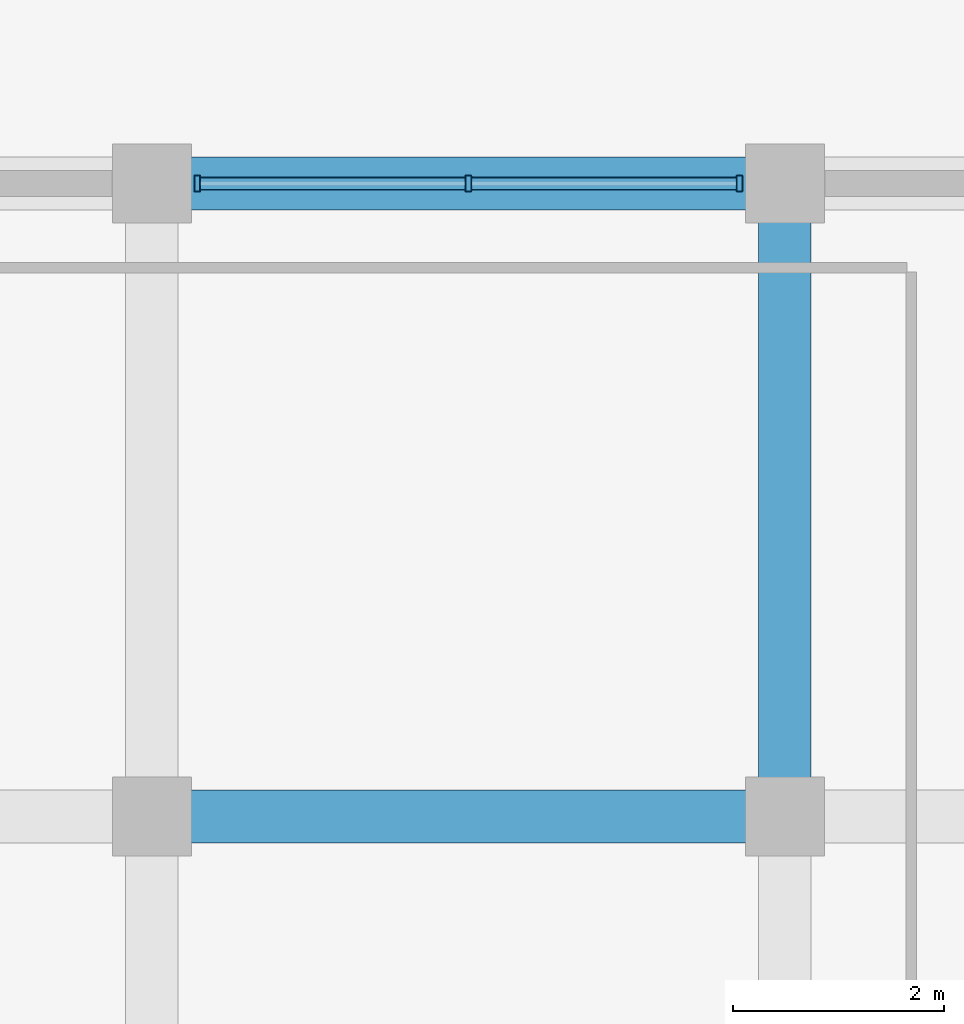
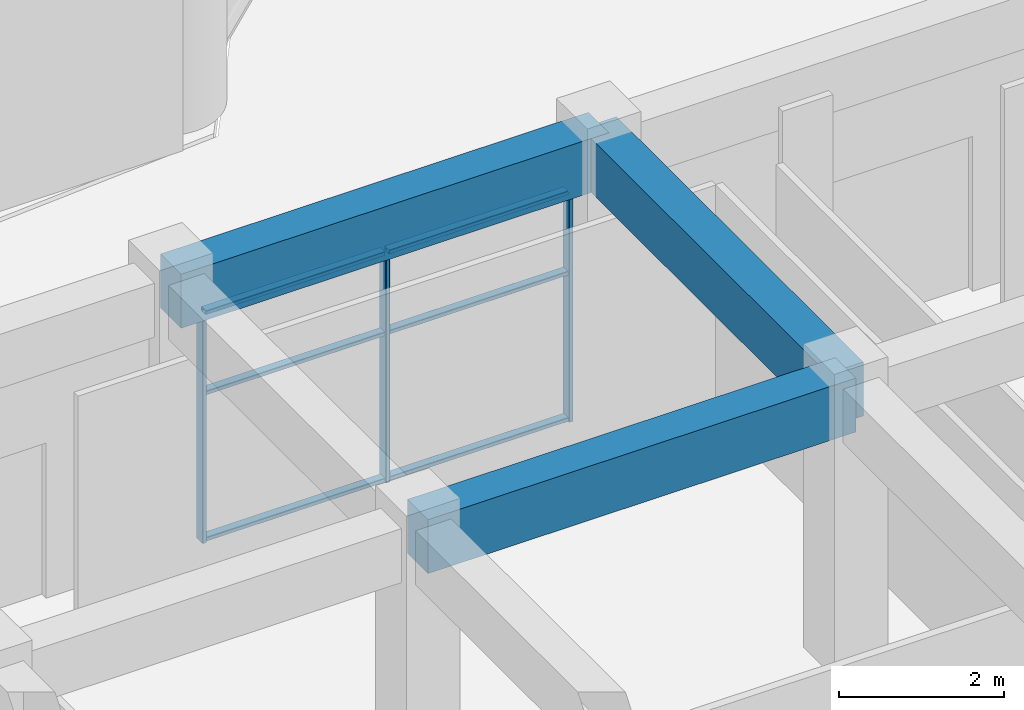
# One storey, part 18 of 40: 9 members, 3 beams, 1 element without a shape of its own.
"""IFC4 building model written with IfcOpenShell, lengths in metres."""

from ifc_helpers import new_model, si_unit, direction, frame, origin, origin_2d, place, context, subcontext, project, spatial, rectangle, hollow_rectangle, extrude, material, layer, layer_set, material_profile, profile_set, type_object, element, aggregate, save


model = new_model("IFC4")

# Units and contexts
model_context = context("Model", 3, precision=1e-05, world=origin(), true_north=direction((0.0, 1.0)))
body_context = subcontext(model_context, "Body", "Model", "MODEL_VIEW")
ifc_project = project(units=[si_unit("LENGTHUNIT", "METRE"), si_unit("AREAUNIT", "SQUARE_METRE"), si_unit("VOLUMEUNIT", "CUBIC_METRE"), si_unit("PLANEANGLEUNIT", "RADIAN"), si_unit("MASSUNIT", "GRAM", prefix="KILO")], contexts=[model_context])

# Site, building, storey
site_placement = place(None, origin())
site = spatial("IfcSite", under=ifc_project, at=site_placement, CompositionType="ELEMENT")
building_placement = place(site_placement, origin())
building = spatial("IfcBuilding", under=site, at=building_placement, Name="Kelanora Arch Commons", CompositionType="ELEMENT")
storey_placement = place(building_placement, origin())
storey = spatial("IfcBuildingStorey", under=building, at=storey_placement, Name="L00", CompositionType="ELEMENT", Elevation=0.0)

# Beams
ifc_material_1 = material(Name="Concrete C40/50", Category="concrete")
ifc_material_profile_1 = material_profile(ifc_material_1, rectangle(XDim=0.5, YDim=0.800048828125, at=origin_2d()), Name="RCB500x800")
ifc_profile_set_1 = profile_set([ifc_material_profile_1], Name="Concrete C40/50")
beam_type = type_object("IfcBeamType", Name="BM-MKT-RC1", PredefinedType="BEAM", material=ifc_profile_set_1)
for number, where, z_axis, x_axis, name in (
    (1, (74.0, 20.0, 3.840087890625), (1.0, 0.0, 0.0), (0.0, 1.0, 0.0), "Market/Basement Frame Beam 126 L00"),
    (2, (74.0, 26.0, 3.840087890625), (1.0, 0.0, 0.0), (0.0, 1.0, 0.0), "Market/Basement Frame Beam 128 L00"),
    (3, (80.0, 20.0, 3.840087890625), (0.0, 1.0, 0.0), (-1.0, 0.0, 0.0), "Market/Basement Frame Beam 134 L00"),
):
    element("IfcBeam", number, at=place(storey_placement, frame(where, z_axis=z_axis, x_axis=x_axis)), inside=storey, type_object=beam_type, Name=name, PredefinedType="BEAM", context=body_context, shape_type="SweptSolid", body=[
        extrude(rectangle(XDim=0.5, YDim=0.800048828125, at=origin_2d()), origin(), (0.0, 0.0, 1.0), 6.0),
    ])

# Curtain wall, members
ifc_material_2 = material(Name="Terracotta ceramic-fritted low-E glass and aluminium", Category="masonry")
ifc_layer = layer(ifc_material_2, 0.16796875)
ifc_layer_set = layer_set([ifc_layer], Name="Terracotta ceramic-fritted low-E glass and aluminium")
curtain_wall_type = type_object("IfcCurtainWallType", Name="CW-SYS-07", PredefinedType="NOTDEFINED", material=ifc_layer_set)
curtain_wall_placement = place(storey_placement, origin())
curtain_wall = element("IfcCurtainWall", 4, at=curtain_wall_placement, inside=storey, type_object=curtain_wall_type, Name="Market Hall Arcade Curtain Wall L00-17", PredefinedType="NOTDEFINED")
ifc_material_3 = material(Name="Powder-coated aluminium terracotta", Category="masonry")
ifc_material_profile_2 = material_profile(ifc_material_3, hollow_rectangle(XDim=0.159912109375, YDim=0.06005859375, WallThickness=0.0048828125, InnerFilletRadius=0.0048828125, OuterFilletRadius=0.010009765625, at=origin_2d()), Name="CWM160x60")
ifc_profile_set_2 = profile_set([ifc_material_profile_2], Name="Powder-coated aluminium terracotta")
member_type_1 = type_object("IfcMemberType", Name="CWM-STD", PredefinedType="MULLION", material=ifc_profile_set_2)
member_1_placement = place(storey_placement, frame((79.570068359375, 26.0, 0.0), z_axis=(0.0, 0.0, 1.0), x_axis=(0.0, -1.0, 0.0)))
member_1 = element("IfcMember", 5, at=member_1_placement, type_object=member_type_1, Name="CW-07 mullion 1", PredefinedType="MULLION", context=body_context, shape_type="SweptSolid", body=[
    extrude(hollow_rectangle(XDim=0.159912109375, YDim=0.06005859375, WallThickness=0.0048828125, InnerFilletRadius=0.0048828125, OuterFilletRadius=0.010009765625, at=origin_2d()), origin(), (0.0, 0.0, 1.0), 3.419921875),
])
member_2_placement = place(storey_placement, frame((77.0, 26.0, 0.0), z_axis=(0.0, 0.0, 1.0), x_axis=(0.0, -1.0, 0.0)))
member_2 = element("IfcMember", 6, at=member_2_placement, type_object=member_type_1, Name="CW-07 mullion 2", PredefinedType="MULLION", context=body_context, shape_type="SweptSolid", body=[
    extrude(hollow_rectangle(XDim=0.159912109375, YDim=0.06005859375, WallThickness=0.0048828125, InnerFilletRadius=0.0048828125, OuterFilletRadius=0.010009765625, at=origin_2d()), origin(), (0.0, 0.0, 1.0), 3.419921875),
])
member_3_placement = place(storey_placement, frame((74.429931640625, 26.0, 0.0), z_axis=(0.0, 0.0, 1.0), x_axis=(0.0, -1.0, 0.0)))
member_3 = element("IfcMember", 7, at=member_3_placement, type_object=member_type_1, Name="CW-07 mullion 3", PredefinedType="MULLION", context=body_context, shape_type="SweptSolid", body=[
    extrude(hollow_rectangle(XDim=0.159912109375, YDim=0.06005859375, WallThickness=0.0048828125, InnerFilletRadius=0.0048828125, OuterFilletRadius=0.010009765625, at=origin_2d()), origin(), (0.0, 0.0, 1.0), 3.419921875),
])
ifc_material_profile_3 = material_profile(ifc_material_3, hollow_rectangle(XDim=0.1201171875, YDim=0.06005859375, WallThickness=0.0048828125, InnerFilletRadius=0.0048828125, OuterFilletRadius=0.010009765625, at=origin_2d()), Name="CWT120x60")
ifc_profile_set_3 = profile_set([ifc_material_profile_3], Name="Powder-coated aluminium terracotta")
member_type_2 = type_object("IfcMemberType", Name="CWT-STD", PredefinedType="USERDEFINED", material=ifc_profile_set_3)
member_4_placement = place(storey_placement, frame((79.5400390625, 26.0, 0.030029296875), z_axis=(-1.0, 0.0, 0.0), x_axis=(0.0, -1.0, 0.0)))
member_4 = element("IfcMember", 8, at=member_4_placement, type_object=member_type_2, Name="CW-07 transom 1.1", ObjectType="TRANSOM", PredefinedType="USERDEFINED", context=body_context, shape_type="SweptSolid", body=[
    extrude(hollow_rectangle(XDim=0.1201171875, YDim=0.06005859375, WallThickness=0.0048828125, InnerFilletRadius=0.0048828125, OuterFilletRadius=0.010009765625, at=origin_2d()), origin(), (0.0, 0.0, 1.0), 2.510009765625),
])
member_5_placement = place(storey_placement, frame((79.5400390625, 26.0, 2.199951171875), z_axis=(-1.0, 0.0, 0.0), x_axis=(0.0, -1.0, 0.0)))
member_5 = element("IfcMember", 9, at=member_5_placement, type_object=member_type_2, Name="CW-07 transom 1.2", ObjectType="TRANSOM", PredefinedType="USERDEFINED", context=body_context, shape_type="SweptSolid", body=[
    extrude(hollow_rectangle(XDim=0.1201171875, YDim=0.06005859375, WallThickness=0.0048828125, InnerFilletRadius=0.0048828125, OuterFilletRadius=0.010009765625, at=origin_2d()), origin(), (0.0, 0.0, 1.0), 2.510009765625),
])
member_6_placement = place(storey_placement, frame((79.5400390625, 26.0, 3.389892578125), z_axis=(-1.0, 0.0, 0.0), x_axis=(0.0, -1.0, 0.0)))
member_6 = element("IfcMember", 10, at=member_6_placement, type_object=member_type_2, Name="CW-07 transom 1.3", ObjectType="TRANSOM", PredefinedType="USERDEFINED", context=body_context, shape_type="SweptSolid", body=[
    extrude(hollow_rectangle(XDim=0.1201171875, YDim=0.06005859375, WallThickness=0.0048828125, InnerFilletRadius=0.0048828125, OuterFilletRadius=0.010009765625, at=origin_2d()), origin(), (0.0, 0.0, 1.0), 2.510009765625),
])
member_7_placement = place(storey_placement, frame((76.969970703125, 26.0, 0.030029296875), z_axis=(-1.0, 0.0, 0.0), x_axis=(0.0, -1.0, 0.0)))
member_7 = element("IfcMember", 11, at=member_7_placement, type_object=member_type_2, Name="CW-07 transom 2.1", ObjectType="TRANSOM", PredefinedType="USERDEFINED", context=body_context, shape_type="SweptSolid", body=[
    extrude(hollow_rectangle(XDim=0.1201171875, YDim=0.06005859375, WallThickness=0.0048828125, InnerFilletRadius=0.0048828125, OuterFilletRadius=0.010009765625, at=origin_2d()), origin(), (0.0, 0.0, 1.0), 2.510009765625),
])
member_8_placement = place(storey_placement, frame((76.969970703125, 26.0, 2.199951171875), z_axis=(-1.0, 0.0, 0.0), x_axis=(0.0, -1.0, 0.0)))
member_8 = element("IfcMember", 12, at=member_8_placement, type_object=member_type_2, Name="CW-07 transom 2.2", ObjectType="TRANSOM", PredefinedType="USERDEFINED", context=body_context, shape_type="SweptSolid", body=[
    extrude(hollow_rectangle(XDim=0.1201171875, YDim=0.06005859375, WallThickness=0.0048828125, InnerFilletRadius=0.0048828125, OuterFilletRadius=0.010009765625, at=origin_2d()), origin(), (0.0, 0.0, 1.0), 2.510009765625),
])
member_9_placement = place(storey_placement, frame((76.969970703125, 26.0, 3.389892578125), z_axis=(-1.0, 0.0, 0.0), x_axis=(0.0, -1.0, 0.0)))
member_9 = element("IfcMember", 13, at=member_9_placement, type_object=member_type_2, Name="CW-07 transom 2.3", ObjectType="TRANSOM", PredefinedType="USERDEFINED", context=body_context, shape_type="SweptSolid", body=[
    extrude(hollow_rectangle(XDim=0.1201171875, YDim=0.06005859375, WallThickness=0.0048828125, InnerFilletRadius=0.0048828125, OuterFilletRadius=0.010009765625, at=origin_2d()), origin(), (0.0, 0.0, 1.0), 2.510009765625),
])
aggregate(curtain_wall, [member_1, member_2, member_3, member_4, member_5, member_6, member_7, member_8, member_9])

save(model, "model.ifc")
